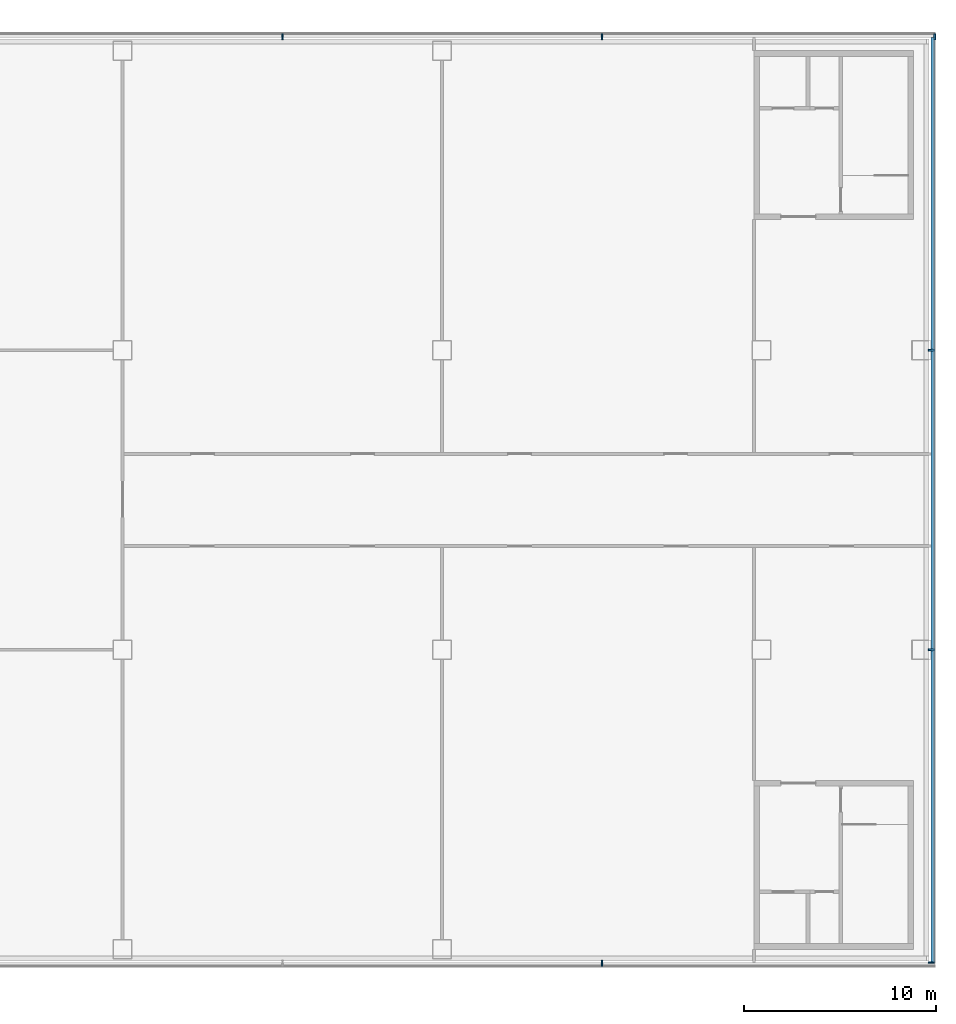
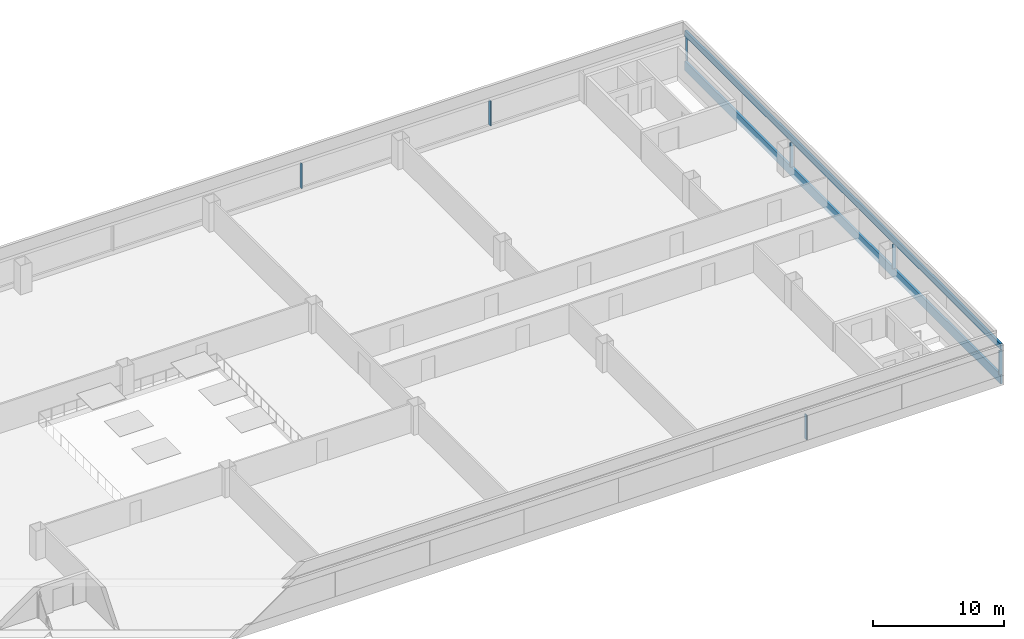
# One storey, part 18 of 42: 9 members, 3 elements without a shape of their own.
"""IFC4 building model written with IfcOpenShell, lengths in metres."""

import ifcopenshell
import ifcopenshell.guid

model = None  # the IFC model being written
_history = None  # IfcOwnerHistory: only IFC2X3 demands one
_inside = {}  # id of a spatial element -> (the spatial element, [elements in it])
_under = {}  # id of a project, library or spatial element -> (it, [spatial elements below it])
_declared = {}  # id of a project -> (the project, [libraries it declares])
_typed = {}  # id of a type object -> (the type object, [elements of that type])
_made_of = {}  # id of a material, layer set ... -> (it, [elements and type objects made of it])


def new_model(schema):
    """Start an empty IFC model of exactly this schema.

    Asked for "IFC4X3", IfcOpenShell would pick the latest addendum, in which some entities
    have other attributes; the version numbers below select the first issue.
    IFC2X3 requires an IfcOwnerHistory on every rooted entity: one is made here for all.
    """
    global model, _history
    if schema == "IFC4X3":
        model = ifcopenshell.file(schema_version=(4, 3, 0, 0))
    else:
        model = ifcopenshell.file(schema=schema)
    _inside.clear()
    _under.clear()
    _declared.clear()
    _typed.clear()
    _made_of.clear()
    _history = None
    if model.schema == "IFC2X3":
        org = make("IfcOrganization", Name="unknown")
        user = make(
            "IfcPersonAndOrganization",
            ThePerson=make("IfcPerson", FamilyName="unknown"),
            TheOrganization=org,
        )
        app = make(
            "IfcApplication",
            ApplicationDeveloper=org,
            Version="unknown",
            ApplicationFullName="unknown",
            ApplicationIdentifier="unknown",
        )
        _history = make(
            "IfcOwnerHistory",
            OwningUser=user,
            OwningApplication=app,
            ChangeAction="ADDED",
            CreationDate=0,
        )
    return model


def make(cls, **values):
    """One entity of the class cls with the attributes given. An attribute that is None is left unset."""
    return model.create_entity(
        cls, **{name: value for name, value in values.items() if value is not None}
    )


def rooted(cls, **values):
    """An entity with a GlobalId (a new one), such as an element, a storey or a relation."""
    return make(cls, GlobalId=ifcopenshell.guid.new(), OwnerHistory=_history, **values)


def si_unit(unit_type, name, prefix=None):
    """IfcSIUnit, for example si_unit("LENGTHUNIT", "METRE", prefix="MILLI")."""
    return make("IfcSIUnit", UnitType=unit_type, Prefix=prefix, Name=name)


def assignment(units):
    """IfcUnitAssignment: the units of a project."""
    return None if units is None else make("IfcUnitAssignment", Units=units)


def point(xyz):
    """IfcCartesianPoint."""
    return None if xyz is None else make("IfcCartesianPoint", Coordinates=xyz)


def direction(xyz):
    """IfcDirection."""
    return None if xyz is None else make("IfcDirection", DirectionRatios=xyz)


def frame(location, z_axis=None, x_axis=None):
    """IfcAxis2Placement3D, a coordinate frame: its origin and axes. An axis left out is left unset."""
    return make(
        "IfcAxis2Placement3D",
        Location=point(location),
        Axis=direction(z_axis),
        RefDirection=direction(x_axis),
    )


def frame_2d(location, x_axis=None):
    """IfcAxis2Placement2D, a coordinate frame in the plane: its origin and x axis."""
    return make(
        "IfcAxis2Placement2D", Location=point(location), RefDirection=direction(x_axis)
    )


def origin():
    """The frame at (0, 0, 0) with its axes left unset."""
    return frame((0.0, 0.0, 0.0))


def origin_2d():
    """The frame at (0, 0) in the plane with its x axis left unset."""
    return frame_2d((0.0, 0.0))


def place(relative_to, where):
    """IfcLocalPlacement: puts the frame where relative to a parent placement (None: the world)."""
    return make(
        "IfcLocalPlacement", PlacementRelTo=relative_to, RelativePlacement=where
    )


def context(
    kind, dimensions, precision=None, world=None, true_north=None, identifier=None
):
    """IfcGeometricRepresentationContext, for example the 3D "Model" context."""
    return make(
        "IfcGeometricRepresentationContext",
        ContextIdentifier=identifier,
        ContextType=kind,
        CoordinateSpaceDimension=dimensions,
        Precision=precision,
        WorldCoordinateSystem=world,
        TrueNorth=true_north,
    )


def subcontext(parent, identifier, kind, view, scale=None):
    """IfcGeometricRepresentationSubContext, for example "Body" below "Model"."""
    return make(
        "IfcGeometricRepresentationSubContext",
        ContextIdentifier=identifier,
        ContextType=kind,
        ParentContext=parent,
        TargetScale=scale,
        TargetView=view,
    )


def project(units=None, contexts=None):
    """IfcProject with its units and contexts."""
    return rooted(
        "IfcProject",
        Name="project",
        RepresentationContexts=contexts,
        UnitsInContext=assignment(units),
    )


def spatial(cls, under=None, at=None, **own):
    """A site, building, storey or space (cls), placed at a placement, below another one or the project."""
    s = rooted(cls, ObjectPlacement=at, **own)
    if under is not None:
        _under.setdefault(under.id(), (under, []))[1].append(s)
    return s


def profile(cls, at=None, kind="AREA", **sizes):
    """A parametric profile (cls). Its sizes go by their IFC names, for example OverallWidth=200.0."""
    return make(cls, ProfileType=kind, Position=at, **sizes)


def rectangle(**sizes):
    """IfcRectangleProfileDef."""
    return profile("IfcRectangleProfileDef", **sizes)


def extrude(swept, where, along, depth):
    """IfcExtrudedAreaSolid: the profile swept, set in the frame where, extruded along a direction by depth."""
    return make(
        "IfcExtrudedAreaSolid",
        SweptArea=swept,
        Position=where,
        ExtrudedDirection=direction(along),
        Depth=depth,
    )


def shape(context_of_items, identifier, shape_type, items):
    """IfcShapeRepresentation: the items that make up one representation, for example the "Body"."""
    return make(
        "IfcShapeRepresentation",
        ContextOfItems=context_of_items,
        RepresentationIdentifier=identifier,
        RepresentationType=shape_type,
        Items=items,
    )


def material(Name=None, Category=None):
    """IfcMaterial."""
    return make("IfcMaterial", Name=Name, Category=Category)


def layer(
    of_material, thickness, ventilated=None, Name=None, Category=None, Priority=None
):
    """IfcMaterialLayer: one layer of a wall or slab, of a material (None: an air gap)."""
    return make(
        "IfcMaterialLayer",
        Material=of_material,
        LayerThickness=thickness,
        IsVentilated=ventilated,
        Name=Name,
        Category=Category,
        Priority=Priority,
    )


def layer_set(layers, Name=None):
    """IfcMaterialLayerSet."""
    return make("IfcMaterialLayerSet", MaterialLayers=layers, LayerSetName=Name)


def material_profile(
    of_material, cross_section, Name=None, Category=None, Priority=None
):
    """IfcMaterialProfile: a cross section and its material."""
    return make(
        "IfcMaterialProfile",
        Name=Name,
        Material=of_material,
        Profile=cross_section,
        Priority=Priority,
        Category=Category,
    )


def profile_set(profiles, Name=None, composite=None):
    """IfcMaterialProfileSet."""
    return make(
        "IfcMaterialProfileSet",
        Name=Name,
        MaterialProfiles=profiles,
        CompositeProfile=composite,
    )


def made_of(thing, what):
    """Note that an element or type object is made of a material, layer set ...; save() writes the relation."""
    if what is not None:
        _made_of.setdefault(what.id(), (what, []))[1].append(thing)
    return thing


def type_object(cls, material=None, **own):
    """A type object (cls), such as IfcWallType, which elements share."""
    return made_of(rooted(cls, **own), material)


def element(
    cls,
    number,
    at=None,
    inside=None,
    cuts=None,
    type_object=None,
    material=None,
    context=None,
    identifier="Body",
    shape_type=None,
    held_by="IfcProductDefinitionShape",
    body=None,
    shapes=None,
    **own,
):
    """One element of the class cls, such as IfcWall. Its Tag is "e" and its number.

    at: its placement. inside: the storey or other place that contains it. cuts: it is an
    opening in that element (IfcRelVoidsElement). A single representation is given by context,
    identifier, shape_type and body (its items); several are given by shapes. held_by: the class
    of the entity that holds the representations. save() writes the other relations.
    """
    e = rooted(cls, Tag="e%d" % number, ObjectPlacement=at, **own)
    if body is not None:
        shapes = [shape(context, identifier, shape_type, body)]
    if shapes is not None:
        e.Representation = make(held_by, Representations=shapes)
    if inside is not None:
        _inside.setdefault(inside.id(), (inside, []))[1].append(e)
    if cuts is not None:
        rooted(
            "IfcRelVoidsElement", RelatingBuildingElement=cuts, RelatedOpeningElement=e
        )
    if type_object is not None:
        _typed.setdefault(type_object.id(), (type_object, []))[1].append(e)
    return made_of(e, material)


def aggregate(whole, parts):
    """IfcRelAggregates: a whole, such as a stair, and the parts it consists of."""
    return rooted("IfcRelAggregates", RelatingObject=whole, RelatedObjects=parts)


def save(model, path):
    """Write the relations noted so far, then the file.

    IfcRelAggregates (storeys below a building ...), IfcRelContainedInSpatialStructure (elements
    in a storey), IfcRelDefinesByType, IfcRelAssociatesMaterial and IfcRelDeclares: one each for
    every whole, place, type object, material and project.
    """
    for whole, parts in _under.values():
        aggregate(whole, parts)
    for where, things in _inside.values():
        rooted(
            "IfcRelContainedInSpatialStructure",
            RelatedElements=things,
            RelatingStructure=where,
        )
    for kind, things in _typed.values():
        rooted("IfcRelDefinesByType", RelatedObjects=things, RelatingType=kind)
    for what, things in _made_of.values():
        rooted("IfcRelAssociatesMaterial", RelatedObjects=things, RelatingMaterial=what)
    for by, libraries in _declared.values():
        rooted("IfcRelDeclares", RelatingContext=by, RelatedDefinitions=libraries)
    model.write(path)


model = new_model("IFC4")

# Units and contexts
model_context = context("Model", 3, precision=1e-05, world=origin(), true_north=direction((0.0, 1.0)))
body_context = subcontext(model_context, "Body", "Model", "MODEL_VIEW")
ifc_project = project(units=[si_unit("LENGTHUNIT", "METRE"), si_unit("AREAUNIT", "SQUARE_METRE"), si_unit("VOLUMEUNIT", "CUBIC_METRE"), si_unit("PLANEANGLEUNIT", "RADIAN"), si_unit("MASSUNIT", "GRAM", prefix="KILO")], contexts=[model_context])

# Site, building, storey
site_placement = place(None, origin())
site = spatial("IfcSite", under=ifc_project, at=site_placement, CompositionType="ELEMENT")
building_placement = place(site_placement, origin())
building = spatial("IfcBuilding", under=site, at=building_placement, Name="Hakoniwa Tower and Hamabe Station Hall", CompositionType="ELEMENT")
storey_placement = place(building_placement, frame((0.0, 0.0, 19.800048828125)))
storey = spatial("IfcBuildingStorey", under=building, at=storey_placement, Name="L04", CompositionType="ELEMENT", Elevation=19.800048828125)

# Curtain wall, members
ifc_material_1 = material(Name="Dark low-e laminated glass", Category="glass")
ifc_layer = layer(ifc_material_1, 0.199951171875)
ifc_layer_set = layer_set([ifc_layer], Name="CW-7 STATION")
curtain_wall_type = type_object("IfcCurtainWallType", Name="CW-7 STATION", PredefinedType="NOTDEFINED", material=ifc_layer_set)
curtain_wall_1_placement = place(storey_placement, origin())
curtain_wall_1 = element("IfcCurtainWall", 1, at=curtain_wall_1_placement, inside=storey, type_object=curtain_wall_type, Name="Station curtain wall L04 east", PredefinedType="NOTDEFINED")
ifc_material_2 = material(Name="Aluminium 6063-T5 black anodised", Category="aluminium")
ifc_material_profile_1 = material_profile(ifc_material_2, rectangle(XDim=0.199951171875, YDim=0.550048828125, at=origin_2d()), Name="CW HEAD BAND 550X200")
ifc_profile_set_1 = profile_set([ifc_material_profile_1], Name="Aluminium 6063-T5 black anodised")
member_type_1 = type_object("IfcMemberType", Name="CW HEAD BAND 550X200", PredefinedType="USERDEFINED", material=ifc_profile_set_1)
member_1_placement = place(storey_placement, frame((169.75, -24.10009765625, 2.925048828125), z_axis=(0.0, 1.0, 0.0), x_axis=(-1.0, 0.0, 0.0)))
member_1 = element("IfcMember", 2, at=member_1_placement, type_object=member_type_1, Name="CW-7 transom", ObjectType="TRANSOM", PredefinedType="USERDEFINED", context=body_context, shape_type="SweptSolid", body=[
    extrude(rectangle(XDim=0.199951171875, YDim=0.550048828125, at=origin_2d()), origin(), (0.0, 0.0, 1.0), 48.2001953125),
])
ifc_material_3 = material(Name="Aluminium 6063-T5 black anodised", Category="aluminium")
ifc_material_profile_2 = material_profile(ifc_material_3, rectangle(XDim=0.199951171875, YDim=0.89990234375, at=origin_2d()), Name="CW SLAB-EDGE BAND 900X200")
ifc_profile_set_2 = profile_set([ifc_material_profile_2], Name="Aluminium 6063-T5 black anodised")
member_type_2 = type_object("IfcMemberType", Name="CW SLAB-EDGE BAND 900X200", PredefinedType="USERDEFINED", material=ifc_profile_set_2)
member_2_placement = place(storey_placement, frame((169.75, -24.10009765625, -0.10009765625), z_axis=(0.0, 1.0, 0.0), x_axis=(-1.0, 0.0, 0.0)))
member_2 = element("IfcMember", 3, at=member_2_placement, type_object=member_type_2, Name="CW-7 transom", ObjectType="TRANSOM", PredefinedType="USERDEFINED", context=body_context, shape_type="SweptSolid", body=[
    extrude(rectangle(XDim=0.199951171875, YDim=0.89990234375, at=origin_2d()), origin(), (0.0, 0.0, 1.0), 48.2001953125),
])

# Curtain wall, member
curtain_wall_2_placement = place(storey_placement, origin())
curtain_wall_2 = element("IfcCurtainWall", 4, at=curtain_wall_2_placement, inside=storey, type_object=curtain_wall_type, Name="Station curtain wall L04 south", PredefinedType="NOTDEFINED")
ifc_material_4 = material(Name="Aluminium 6063-T5 black anodised", Category="aluminium")
ifc_material_profile_3 = material_profile(ifc_material_4, rectangle(XDim=0.080078125, YDim=0.300048828125, at=origin_2d()), Name="CW-3 MULLION 80X300")
ifc_profile_set_3 = profile_set([ifc_material_profile_3], Name="Aluminium 6063-T5 black anodised")
member_type_3 = type_object("IfcMemberType", Name="CW-3 MULLION 80X300", PredefinedType="MULLION", material=ifc_profile_set_3)
member_3_placement = place(storey_placement, frame((152.510009765625, -24.1220703125, 0.349853515625), z_axis=(0.0, 0.0, 1.0), x_axis=(1.0, 0.0, 0.0)))
member_3 = element("IfcMember", 5, at=member_3_placement, type_object=member_type_3, Name="CW-7 mullion", PredefinedType="MULLION", context=body_context, shape_type="SweptSolid", body=[
    extrude(rectangle(XDim=0.080078125, YDim=0.300048828125, at=origin_2d()), origin(), (0.0, 0.0, 1.0), 2.300048828125),
])
aggregate(curtain_wall_2, [member_3])

# Member
member_4_placement = place(storey_placement, frame((169.672119140625, -24.10009765625, 0.349853515625), z_axis=(0.0, 0.0, 1.0), x_axis=(0.0, 1.0, 0.0)))
member_4 = element("IfcMember", 6, at=member_4_placement, type_object=member_type_3, Name="CW-7 mullion", PredefinedType="MULLION", context=body_context, shape_type="SweptSolid", body=[
    extrude(rectangle(XDim=0.080078125, YDim=0.300048828125, at=origin_2d()), origin(), (0.0, 0.0, 1.0), 2.300048828125),
])

member_5_placement = place(storey_placement, frame((169.672119140625, -7.800048828125, 0.349853515625), z_axis=(0.0, 0.0, 1.0), x_axis=(0.0, 1.0, 0.0)))
member_5 = element("IfcMember", 7, at=member_5_placement, type_object=member_type_3, Name="CW-7 mullion", PredefinedType="MULLION", context=body_context, shape_type="SweptSolid", body=[
    extrude(rectangle(XDim=0.080078125, YDim=0.300048828125, at=origin_2d()), origin(), (0.0, 0.0, 1.0), 2.300048828125),
])

member_6_placement = place(storey_placement, frame((169.672119140625, 7.800048828125, 0.349853515625), z_axis=(0.0, 0.0, 1.0), x_axis=(0.0, 1.0, 0.0)))
member_6 = element("IfcMember", 8, at=member_6_placement, type_object=member_type_3, Name="CW-7 mullion", PredefinedType="MULLION", context=body_context, shape_type="SweptSolid", body=[
    extrude(rectangle(XDim=0.080078125, YDim=0.300048828125, at=origin_2d()), origin(), (0.0, 0.0, 1.0), 2.300048828125),
])

aggregate(curtain_wall_1, [member_4, member_5, member_6, member_2, member_1])

# Curtain wall, members
curtain_wall_3_placement = place(storey_placement, origin())
curtain_wall_3 = element("IfcCurtainWall", 9, at=curtain_wall_3_placement, inside=storey, type_object=curtain_wall_type, Name="Station curtain wall L04 north", PredefinedType="NOTDEFINED")
member_7_placement = place(storey_placement, frame((169.85009765625, 24.1220703125, 0.349853515625), z_axis=(0.0, 0.0, 1.0), x_axis=(-1.0, 0.0, 0.0)))
member_7 = element("IfcMember", 10, at=member_7_placement, type_object=member_type_3, Name="CW-7 mullion", PredefinedType="MULLION", context=body_context, shape_type="SweptSolid", body=[
    extrude(rectangle(XDim=0.080078125, YDim=0.300048828125, at=origin_2d()), origin(), (0.0, 0.0, 1.0), 2.300048828125),
])
member_8_placement = place(storey_placement, frame((152.510009765625, 24.1220703125, 0.349853515625), z_axis=(0.0, 0.0, 1.0), x_axis=(-1.0, 0.0, 0.0)))
member_8 = element("IfcMember", 11, at=member_8_placement, type_object=member_type_3, Name="CW-7 mullion", PredefinedType="MULLION", context=body_context, shape_type="SweptSolid", body=[
    extrude(rectangle(XDim=0.080078125, YDim=0.300048828125, at=origin_2d()), origin(), (0.0, 0.0, 1.0), 2.300048828125),
])
member_9_placement = place(storey_placement, frame((135.8701171875, 24.1220703125, 0.349853515625), z_axis=(0.0, 0.0, 1.0), x_axis=(-1.0, 0.0, 0.0)))
member_9 = element("IfcMember", 12, at=member_9_placement, type_object=member_type_3, Name="CW-7 mullion", PredefinedType="MULLION", context=body_context, shape_type="SweptSolid", body=[
    extrude(rectangle(XDim=0.080078125, YDim=0.300048828125, at=origin_2d()), origin(), (0.0, 0.0, 1.0), 2.300048828125),
])
aggregate(curtain_wall_3, [member_7, member_8, member_9])

save(model, "model.ifc")
